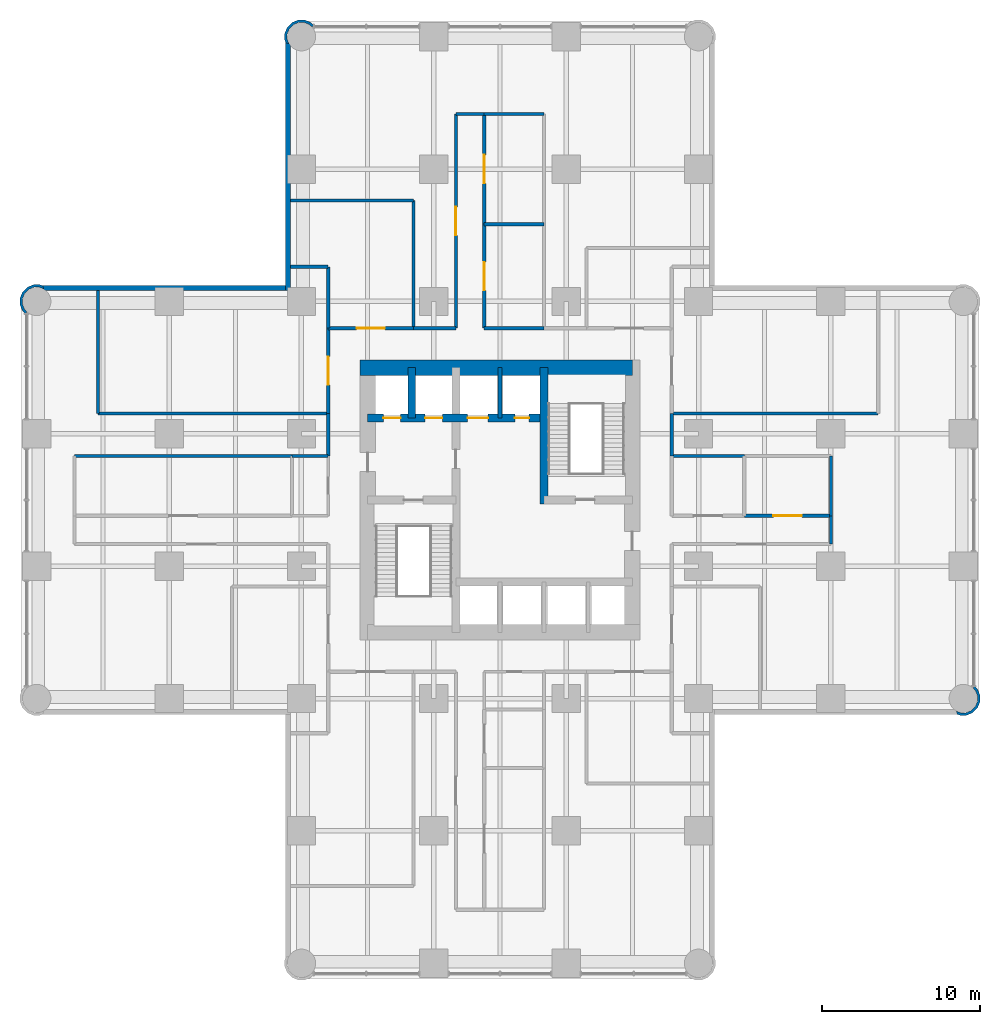
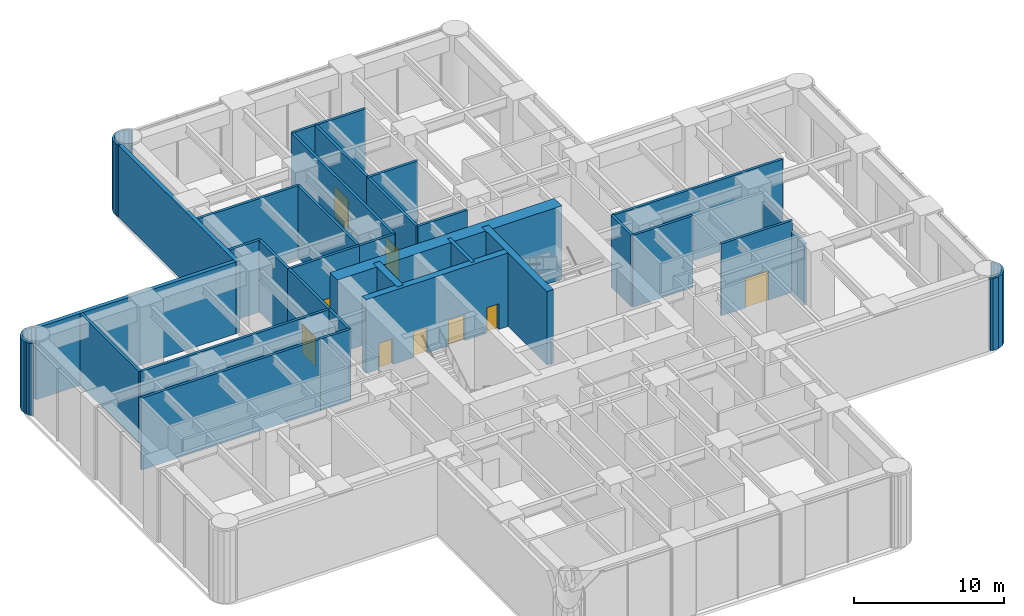
# One storey, part 8 of 11: 35 walls, 10 doors, 10 openings.
"""IFC4 building model written with IfcOpenShell, lengths in metres."""

from ifc_helpers import new_model, si_unit, direction, frame, frame_2d, origin, place, context, subcontext, project, spatial, polyline, rectangle, outline, extrude, material, layer, layer_set, type_object, element, fill, save


model = new_model("IFC4")

# Units and contexts
model_context = context("Model", 3, precision=1e-05, world=origin(), true_north=direction((0.0, 1.0)))
body_context = subcontext(model_context, "Body", "Model", "MODEL_VIEW")
ifc_project = project(units=[si_unit("LENGTHUNIT", "METRE"), si_unit("AREAUNIT", "SQUARE_METRE"), si_unit("VOLUMEUNIT", "CUBIC_METRE"), si_unit("PLANEANGLEUNIT", "RADIAN"), si_unit("MASSUNIT", "GRAM", prefix="KILO")], contexts=[model_context])

# Site, building, storey
site_placement = place(None, origin())
site = spatial("IfcSite", under=ifc_project, at=site_placement, CompositionType="ELEMENT")
building_placement = place(site_placement, origin())
building = spatial("IfcBuilding", under=site, at=building_placement, Name="Torre Alcanfor", CompositionType="ELEMENT")
storey_placement = place(building_placement, frame((0.0, 0.0, 28.5)))
storey = spatial("IfcBuildingStorey", under=building, at=storey_placement, Name="L06", CompositionType="ELEMENT", Elevation=28.5)

# Wall, openings, doors
ifc_material_1 = material(Name="Concrete f'c 70 MPa", Category="concrete")
ifc_layer_1 = layer(ifc_material_1, 0.5)
ifc_layer_set_1 = layer_set([ifc_layer_1], Name="Core inner wall 500 f'c70")
wall_type_1 = type_object("IfcWallType", Name="Core inner wall 500 f'c70", PredefinedType="SHEAR", material=ifc_layer_set_1)
wall_1_placement = place(storey_placement, frame((21.0, 34.60009765625, 0.0), z_axis=(0.0, 0.0, 1.0), x_axis=(1.0, 0.0, 0.0)))
wall_1 = element("IfcWall", 1, at=wall_1_placement, inside=storey, type_object=wall_type_1, Name="Core wall Y346 L06", PredefinedType="SHEAR", context=body_context, shape_type="SweptSolid", body=[
    extrude(rectangle(XDim=11.199951171875, YDim=0.5, at=frame_2d((5.60009765625, 0.0))), origin(), (0.0, 0.0, 1.0), 6.0),
])
opening_1_placement = place(wall_1_placement, frame((9.35009765625, 0.0, 0.0)))
opening_1 = element("IfcOpeningElement", 2, at=opening_1_placement, cuts=wall_1, Name="Opening D-Q1", PredefinedType="OPENING", context=body_context, shape_type="SweptSolid", body=[
    extrude(rectangle(XDim=0.89990234375, YDim=2.10009765625, at=frame_2d((0.449951171875, 1.050048828125))), frame((0.0, 0.260009765625, 0.0), z_axis=(0.0, -1.0, 0.0), x_axis=(1.0, 0.0, 0.0)), (0.0, 0.0, 1.0), 0.52001953125),
])
opening_2_placement = place(wall_1_placement, frame((1.0, 0.0, 0.0)))
opening_2 = element("IfcOpeningElement", 3, at=opening_2_placement, cuts=wall_1, Name="Opening LD2", PredefinedType="OPENING", context=body_context, shape_type="SweptSolid", body=[
    extrude(rectangle(XDim=1.10009765625, YDim=2.10009765625, at=frame_2d((0.550048828125, 1.050048828125))), frame((0.0, 0.260009765625, 0.0), z_axis=(0.0, -1.0, 0.0), x_axis=(1.0, 0.0, 0.0)), (0.0, 0.0, 1.0), 0.52001953125),
])
opening_3_placement = place(wall_1_placement, frame((3.64990234375, 0.0, 0.0)))
opening_3 = element("IfcOpeningElement", 4, at=opening_3_placement, cuts=wall_1, Name="Opening LD2", PredefinedType="OPENING", context=body_context, shape_type="SweptSolid", body=[
    extrude(rectangle(XDim=1.10009765625, YDim=2.10009765625, at=frame_2d((0.550048828125, 1.050048828125))), frame((0.0, 0.260009765625, 0.0), z_axis=(0.0, -1.0, 0.0), x_axis=(1.0, 0.0, 0.0)), (0.0, 0.0, 1.0), 0.52001953125),
])
opening_4_placement = place(wall_1_placement, frame((6.35009765625, 0.0, 0.0)))
opening_4 = element("IfcOpeningElement", 5, at=opening_4_placement, cuts=wall_1, Name="Opening LD3", PredefinedType="OPENING", context=body_context, shape_type="SweptSolid", body=[
    extrude(rectangle(XDim=1.300048828125, YDim=2.10009765625, at=frame_2d((0.64990234375, 1.050048828125))), frame((0.0, 0.260009765625, 0.0), z_axis=(0.0, -1.0, 0.0), x_axis=(1.0, 0.0, 0.0)), (0.0, 0.0, 1.0), 0.52001953125),
])
ifc_material_2 = material(Name="Galvanised steel sheet ASTM A653", Category="steel")
door_type_1 = type_object("IfcDoorType", Name="Firefighting lift landing door 1100x2100", OperationType="DOUBLE_DOOR_SLIDING", PredefinedType="DOOR", material=ifc_material_2)
door_1_placement = place(opening_2_placement, origin())
door_1 = element("IfcDoor", 6, at=door_1_placement, inside=storey, type_object=door_type_1, Name="Lift landing door FL1 L06", OperationType="DOUBLE_DOOR_SLIDING", OverallHeight=2.10009765625, OverallWidth=1.10009765625, PredefinedType="DOOR", context=body_context, shape_type="SweptSolid", body=[
    extrude(rectangle(XDim=1.10009765625, YDim=2.10009765625, at=frame_2d((0.550048828125, 1.050048828125))), frame((0.0, 0.02490234375, 0.0), z_axis=(0.0, -1.0, 0.0), x_axis=(1.0, 0.0, 0.0)), (0.0, 0.0, 1.0), 0.050048828125),
])
fill(opening_2, door_1)
door_2_placement = place(opening_3_placement, origin())
door_2 = element("IfcDoor", 7, at=door_2_placement, inside=storey, type_object=door_type_1, Name="Lift landing door FL2 L06", OperationType="DOUBLE_DOOR_SLIDING", OverallHeight=2.10009765625, OverallWidth=1.10009765625, PredefinedType="DOOR", context=body_context, shape_type="SweptSolid", body=[
    extrude(rectangle(XDim=1.10009765625, YDim=2.10009765625, at=frame_2d((0.550048828125, 1.050048828125))), frame((0.0, 0.02490234375, 0.0), z_axis=(0.0, -1.0, 0.0), x_axis=(1.0, 0.0, 0.0)), (0.0, 0.0, 1.0), 0.050048828125),
])
fill(opening_3, door_2)
ifc_material_3 = material(Name="Galvanised steel sheet ASTM A653", Category="steel")
door_type_2 = type_object("IfcDoorType", Name="Riser access door FD120 900x2100", OperationType="SINGLE_SWING_LEFT", PredefinedType="DOOR", material=ifc_material_3)
door_3_placement = place(opening_1_placement, origin())
door_3 = element("IfcDoor", 8, at=door_3_placement, inside=storey, type_object=door_type_2, Name="Riser door L06", OperationType="SINGLE_SWING_LEFT", OverallHeight=2.10009765625, OverallWidth=0.89990234375, PredefinedType="DOOR", context=body_context, shape_type="SweptSolid", body=[
    extrude(rectangle(XDim=0.89990234375, YDim=2.10009765625, at=frame_2d((0.449951171875, 1.050048828125))), frame((0.0, 0.02490234375, 0.0), z_axis=(0.0, -1.0, 0.0), x_axis=(1.0, 0.0, 0.0)), (0.0, 0.0, 1.0), 0.050048828125),
])
fill(opening_1, door_3)
ifc_material_4 = material(Name="Galvanised steel sheet ASTM A653", Category="steel")
door_type_3 = type_object("IfcDoorType", Name="Service lift landing door 1300x2100", OperationType="DOUBLE_DOOR_SLIDING", PredefinedType="DOOR", material=ifc_material_4)
door_4_placement = place(opening_4_placement, origin())
door_4 = element("IfcDoor", 9, at=door_4_placement, inside=storey, type_object=door_type_3, Name="Lift landing door SL1 L06", OperationType="DOUBLE_DOOR_SLIDING", OverallHeight=2.10009765625, OverallWidth=1.300048828125, PredefinedType="DOOR", context=body_context, shape_type="SweptSolid", body=[
    extrude(rectangle(XDim=1.300048828125, YDim=2.10009765625, at=frame_2d((0.64990234375, 1.050048828125))), frame((0.0, 0.02490234375, 0.0), z_axis=(0.0, -1.0, 0.0), x_axis=(1.0, 0.0, 0.0)), (0.0, 0.0, 1.0), 0.050048828125),
])
fill(opening_4, door_4)

# Walls
wall_2_placement = place(storey_placement, frame((23.800048828125, 34.60009765625, 0.0), z_axis=(0.0, 0.0, 1.0), x_axis=(0.0, 1.0, 0.0)))
element("IfcWall", 10, at=wall_2_placement, inside=storey, type_object=wall_type_1, Name="Core wall X238 L06", PredefinedType="SHEAR", context=body_context, shape_type="SweptSolid", body=[
    extrude(rectangle(XDim=3.199951171875, YDim=0.5, at=frame_2d((1.60009765625, 0.0))), origin(), (0.0, 0.0, 1.0), 6.0),
])
wall_3_placement = place(storey_placement, frame((32.199951171875, 29.14990234375, 0.0), z_axis=(0.0, 0.0, 1.0), x_axis=(0.0, 1.0, 0.0)))
element("IfcWall", 11, at=wall_3_placement, inside=storey, type_object=wall_type_1, Name="Core wall X322N L06", PredefinedType="SHEAR", context=body_context, shape_type="SweptSolid", body=[
    extrude(rectangle(XDim=8.650146484375, YDim=0.5, at=frame_2d((4.3251953125, 0.0))), origin(), (0.0, 0.0, 1.0), 6.0),
])
ifc_material_5 = material(Name="Concrete f'c 70 MPa", Category="concrete")
ifc_layer_2 = layer(ifc_material_5, 0.25)
ifc_layer_set_2 = layer_set([ifc_layer_2], Name="Core shaft wall 250 f'c70")
wall_type_2 = type_object("IfcWallType", Name="Core shaft wall 250 f'c70", PredefinedType="SHEAR", material=ifc_layer_set_2)
wall_4_placement = place(storey_placement, frame((29.39990234375, 34.60009765625, 0.0), z_axis=(0.0, 0.0, 1.0), x_axis=(0.0, 1.0, 0.0)))
element("IfcWall", 12, at=wall_4_placement, inside=storey, type_object=wall_type_2, Name="Core wall X294N L06", PredefinedType="SHEAR", context=body_context, shape_type="SweptSolid", body=[
    extrude(rectangle(XDim=3.199951171875, YDim=0.25, at=frame_2d((1.60009765625, 0.0))), origin(), (0.0, 0.0, 1.0), 6.0),
])
ifc_material_6 = material(Name="Concrete f'c 70 MPa", Category="concrete")
ifc_layer_3 = layer(ifc_material_6, 1.0)
ifc_layer_set_3 = layer_set([ifc_layer_3], Name="Core wall 1000 f'c70")
wall_type_3 = type_object("IfcWallType", Name="Core wall 1000 f'c70", PredefinedType="SHEAR", material=ifc_layer_set_3)
wall_5_placement = place(storey_placement, frame((37.800048828125, 37.800048828125, 0.0), z_axis=(0.0, 0.0, 1.0), x_axis=(-1.0, 0.0, 0.0)))
element("IfcWall", 13, at=wall_5_placement, inside=storey, type_object=wall_type_3, Name="Core wall OUT-N L06", PredefinedType="SHEAR", context=body_context, shape_type="SweptSolid", body=[
    extrude(rectangle(XDim=17.300048828125, YDim=1.0, at=frame_2d((8.64990234375, 0.0))), origin(), (0.0, 0.0, 1.0), 6.0),
])
ifc_material_7 = material(Name="Limestone cladding", Category="masonry")
ifc_layer_4 = layer(ifc_material_7, 0.0400390625, Name="Facing")
ifc_material_8 = material(Name="Ventilated air cavity")
ifc_layer_5 = layer(ifc_material_8, 0.02001953125, ventilated=True, Name="Ventilated joint")
ifc_material_9 = material(Name="Mineral wool insulation", Category="insulation")
ifc_layer_6 = layer(ifc_material_9, 0.10009765625, Name="Insulation")
ifc_material_10 = material(Name="Concrete f'c 35 MPa", Category="concrete")
ifc_layer_7 = layer(ifc_material_10, 0.139892578125, Name="Backing")
ifc_layer_set_4 = layer_set([ifc_layer_4, ifc_layer_5, ifc_layer_6, ifc_layer_7], Name="External wall stone-clad 300")
wall_type_4 = type_object("IfcWallType", Name="External wall stone-clad 300", PredefinedType="SOLIDWALL", material=ifc_layer_set_4)
wall_6_placement = place(storey_placement, frame((15.800048828125, 42.85009765625, 0.0), z_axis=(0.0, 0.0, 1.0), x_axis=(-1.0, 0.0, 0.0)))
element("IfcWall", 14, at=wall_6_placement, inside=storey, type_object=wall_type_4, Name="External wall L06 1", PredefinedType="SOLIDWALL", context=body_context, shape_type="SweptSolid", body=[
    extrude(rectangle(XDim=15.400146484375, YDim=0.300048828125, at=frame_2d((7.7001953125, 0.0))), origin(), (0.0, 0.0, 1.0), 5.85009765625),
])
wall_7_placement = place(storey_placement, frame((15.949951171875, 58.39990234375, 0.0), z_axis=(0.0, 0.0, 1.0), x_axis=(0.0, -1.0, 0.0)))
element("IfcWall", 15, at=wall_7_placement, inside=storey, type_object=wall_type_4, Name="External wall L06 12", PredefinedType="SOLIDWALL", context=body_context, shape_type="SweptSolid", body=[
    extrude(rectangle(XDim=15.699951171875, YDim=0.300048828125, at=frame_2d((7.85009765625, 0.0))), origin(), (0.0, 0.0, 1.0), 5.85009765625),
])

# Wall, opening, door
ifc_material_11 = material(Name="Concrete block masonry, hollow blocks NMX-C-404 9 MPa", Category="masonry")
ifc_layer_8 = layer(ifc_material_11, 0.199951171875)
ifc_layer_set_5 = layer_set([ifc_layer_8], Name="Plant room wall 200 EI 60")
wall_type_5 = type_object("IfcWallType", Name="Plant room wall 200 EI 60", PredefinedType="PARTITIONING", material=ifc_layer_set_5)
wall_8_placement = place(storey_placement, frame((18.5, 40.300048828125, 0.0), z_axis=(0.0, 0.0, 1.0), x_axis=(1.0, 0.0, 0.0)))
wall_8 = element("IfcWall", 16, at=wall_8_placement, inside=storey, type_object=wall_type_5, Name="Partition L06-CORR / L06-N1", PredefinedType="PARTITIONING", context=body_context, shape_type="SweptSolid", body=[
    extrude(rectangle(XDim=5.39990234375, YDim=0.199951171875, at=frame_2d((2.699951171875, 0.0))), origin(), (0.0, 0.0, 1.0), 5.85009765625),
])
opening_5_placement = place(wall_8_placement, frame((1.800048828125, 0.0, 0.0)))
opening_5 = element("IfcOpeningElement", 17, at=opening_5_placement, cuts=wall_8, Name="Opening D-P1", PredefinedType="OPENING", context=body_context, shape_type="SweptSolid", body=[
    extrude(rectangle(XDim=1.800048828125, YDim=2.39990234375, at=frame_2d((0.89990234375, 1.199951171875))), frame((0.0, 0.10986328125, 0.0), z_axis=(0.0, -1.0, 0.0), x_axis=(1.0, 0.0, 0.0)), (0.0, 0.0, 1.0), 0.219970703125),
])
ifc_material_12 = material(Name="Galvanised steel sheet ASTM A653", Category="steel")
door_type_4 = type_object("IfcDoorType", Name="Plant room door FD60 1800x2400", OperationType="DOUBLE_DOOR_SINGLE_SWING", PredefinedType="DOOR", material=ifc_material_12)
door_5_placement = place(opening_5_placement, origin())
door_5 = element("IfcDoor", 18, at=door_5_placement, inside=storey, type_object=door_type_4, Name="Door L06-N1 school chilled water plant room", OperationType="DOUBLE_DOOR_SINGLE_SWING", OverallHeight=2.39990234375, OverallWidth=1.800048828125, PredefinedType="DOOR", context=body_context, shape_type="SweptSolid", body=[
    extrude(rectangle(XDim=1.800048828125, YDim=2.39990234375, at=frame_2d((0.89990234375, 1.199951171875))), frame((0.0, 0.02490234375, 0.0), z_axis=(0.0, -1.0, 0.0), x_axis=(1.0, 0.0, 0.0)), (0.0, 0.0, 1.0), 0.050048828125),
])
fill(opening_5, door_5)

# Walls
wall_9_placement = place(storey_placement, frame((28.39990234375, 40.300048828125, 0.0), z_axis=(0.0, 0.0, 1.0), x_axis=(1.0, 0.0, 0.0)))
element("IfcWall", 19, at=wall_9_placement, inside=storey, type_object=wall_type_5, Name="Partition L06-CORR / L06-N3", PredefinedType="PARTITIONING", context=body_context, shape_type="SweptSolid", body=[
    extrude(rectangle(XDim=3.800048828125, YDim=0.199951171875, at=frame_2d((1.89990234375, 0.0))), origin(), (0.0, 0.0, 1.0), 5.85009765625),
])
wall_10_placement = place(storey_placement, frame((23.89990234375, 40.300048828125, 0.0), z_axis=(0.0, 0.0, 1.0), x_axis=(1.0, 0.0, 0.0)))
element("IfcWall", 20, at=wall_10_placement, inside=storey, type_object=wall_type_5, Name="Partition L06-CORR / L06-NH", PredefinedType="PARTITIONING", context=body_context, shape_type="SweptSolid", body=[
    extrude(rectangle(XDim=2.7001953125, YDim=0.199951171875, at=frame_2d((1.35009765625, 0.0))), origin(), (0.0, 0.0, 1.0), 5.85009765625),
])
wall_11_placement = place(storey_placement, frame((40.300048828125, 34.89990234375, 0.0), z_axis=(0.0, 0.0, 1.0), x_axis=(0.0, -1.0, 0.0)))
element("IfcWall", 21, at=wall_11_placement, inside=storey, type_object=wall_type_5, Name="Partition L06-CORR / L06-EH", PredefinedType="PARTITIONING", context=body_context, shape_type="SweptSolid", body=[
    extrude(rectangle(XDim=2.699951171875, YDim=0.199951171875, at=frame_2d((1.35009765625, 0.0))), origin(), (0.0, 0.0, 1.0), 5.85009765625),
])

# Wall, opening, door
wall_12_placement = place(storey_placement, frame((18.5, 34.89990234375, 0.0), z_axis=(0.0, 0.0, 1.0), x_axis=(0.0, 1.0, 0.0)))
wall_12 = element("IfcWall", 22, at=wall_12_placement, inside=storey, type_object=wall_type_5, Name="Partition L06-CORR / L06-W2", PredefinedType="PARTITIONING", context=body_context, shape_type="SweptSolid", body=[
    extrude(rectangle(XDim=5.400146484375, YDim=0.199951171875, at=frame_2d((2.7001953125, 0.0))), origin(), (0.0, 0.0, 1.0), 5.85009765625),
])
opening_6_placement = place(wall_12_placement, frame((1.800048828125, 0.0, 0.0)))
opening_6 = element("IfcOpeningElement", 23, at=opening_6_placement, cuts=wall_12, Name="Opening D-P1", PredefinedType="OPENING", context=body_context, shape_type="SweptSolid", body=[
    extrude(rectangle(XDim=1.800048828125, YDim=2.39990234375, at=frame_2d((0.89990234375, 1.199951171875))), frame((0.0, 0.10986328125, 0.0), z_axis=(0.0, -1.0, 0.0), x_axis=(1.0, 0.0, 0.0)), (0.0, 0.0, 1.0), 0.219970703125),
])
door_6_placement = place(opening_6_placement, origin())
door_6 = element("IfcDoor", 24, at=door_6_placement, inside=storey, type_object=door_type_4, Name="Door L06-W2 booster pump room", OperationType="DOUBLE_DOOR_SINGLE_SWING", OverallHeight=2.39990234375, OverallWidth=1.800048828125, PredefinedType="DOOR", context=body_context, shape_type="SweptSolid", body=[
    extrude(rectangle(XDim=1.800048828125, YDim=2.39990234375, at=frame_2d((0.89990234375, 1.199951171875))), frame((0.0, 0.02490234375, 0.0), z_axis=(0.0, -1.0, 0.0), x_axis=(1.0, 0.0, 0.0)), (0.0, 0.0, 1.0), 0.050048828125),
])
fill(opening_6, door_6)

# Walls
wall_13_placement = place(storey_placement, frame((18.5, 32.199951171875, 0.0), z_axis=(0.0, 0.0, 1.0), x_axis=(0.0, 1.0, 0.0)))
element("IfcWall", 25, at=wall_13_placement, inside=storey, type_object=wall_type_5, Name="Partition L06-CORR / L06-WH", PredefinedType="PARTITIONING", context=body_context, shape_type="SweptSolid", body=[
    extrude(rectangle(XDim=2.699951171875, YDim=0.199951171875, at=frame_2d((1.35009765625, 0.0))), origin(), (0.0, 0.0, 1.0), 5.85009765625),
])
wall_14_placement = place(storey_placement, frame((16.10009765625, 48.39990234375, 0.0), z_axis=(0.0, 0.0, 1.0), x_axis=(1.0, 0.0, 0.0)))
element("IfcWall", 26, at=wall_14_placement, inside=storey, type_object=wall_type_5, Name="Partition L06-N1 / L06-NH", PredefinedType="PARTITIONING", context=body_context, shape_type="SweptSolid", body=[
    extrude(rectangle(XDim=7.7998046875, YDim=0.199951171875, at=frame_2d((3.89990234375, 0.0))), origin(), (0.0, 0.0, 1.0), 5.85009765625),
])
wall_15_placement = place(storey_placement, frame((23.89990234375, 48.39990234375, 0.0), z_axis=(0.0, 0.0, 1.0), x_axis=(0.0, -1.0, 0.0)))
element("IfcWall", 27, at=wall_15_placement, inside=storey, type_object=wall_type_5, Name="Partition L06-N1 / L06-NH", PredefinedType="PARTITIONING", context=body_context, shape_type="SweptSolid", body=[
    extrude(rectangle(XDim=8.099853515625, YDim=0.199951171875, at=frame_2d((4.0498046875, 0.0))), origin(), (0.0, 0.0, 1.0), 5.85009765625),
])
wall_16_placement = place(storey_placement, frame((18.5, 40.300048828125, 0.0), z_axis=(0.0, 0.0, 1.0), x_axis=(0.0, 1.0, 0.0)))
element("IfcWall", 28, at=wall_16_placement, inside=storey, type_object=wall_type_5, Name="Partition L06-N1 / L06-W2", PredefinedType="PARTITIONING", context=body_context, shape_type="SweptSolid", body=[
    extrude(rectangle(XDim=3.89990234375, YDim=0.199951171875, at=frame_2d((1.949951171875, 0.0))), origin(), (0.0, 0.0, 1.0), 5.85009765625),
])
wall_17_placement = place(storey_placement, frame((18.5, 44.199951171875, 0.0), z_axis=(0.0, 0.0, 1.0), x_axis=(-1.0, 0.0, 0.0)))
element("IfcWall", 29, at=wall_17_placement, inside=storey, type_object=wall_type_5, Name="Partition L06-N1 / L06-W2", PredefinedType="PARTITIONING", context=body_context, shape_type="SweptSolid", body=[
    extrude(rectangle(XDim=2.39990234375, YDim=0.199951171875, at=frame_2d((1.199951171875, 0.0))), origin(), (0.0, 0.0, 1.0), 5.85009765625),
])

# Wall, opening, door
wall_18_placement = place(storey_placement, frame((28.39990234375, 46.89990234375, 0.0), z_axis=(0.0, 0.0, 1.0), x_axis=(0.0, -1.0, 0.0)))
wall_18 = element("IfcWall", 30, at=wall_18_placement, inside=storey, type_object=wall_type_5, Name="Partition L06-NC / L06-N3", PredefinedType="PARTITIONING", context=body_context, shape_type="SweptSolid", body=[
    extrude(rectangle(XDim=6.599853515625, YDim=0.199951171875, at=frame_2d((3.2998046875, 0.0))), origin(), (0.0, 0.0, 1.0), 5.85009765625),
])
opening_7_placement = place(wall_18_placement, frame((2.39990234375, 0.0, 0.0)))
opening_7 = element("IfcOpeningElement", 31, at=opening_7_placement, cuts=wall_18, Name="Opening D-P1", PredefinedType="OPENING", context=body_context, shape_type="SweptSolid", body=[
    extrude(rectangle(XDim=1.800048828125, YDim=2.39990234375, at=frame_2d((0.89990234375, 1.199951171875))), frame((0.0, 0.10986328125, 0.0), z_axis=(0.0, -1.0, 0.0), x_axis=(1.0, 0.0, 0.0)), (0.0, 0.0, 1.0), 0.219970703125),
])
door_7_placement = place(opening_7_placement, origin())
door_7 = element("IfcDoor", 32, at=door_7_placement, inside=storey, type_object=door_type_4, Name="Door L06-N3 lv sub-distribution room", OperationType="DOUBLE_DOOR_SINGLE_SWING", OverallHeight=2.39990234375, OverallWidth=1.800048828125, PredefinedType="DOOR", context=body_context, shape_type="SweptSolid", body=[
    extrude(rectangle(XDim=1.800048828125, YDim=2.39990234375, at=frame_2d((0.89990234375, 1.199951171875))), frame((0.0, 0.02490234375, 0.0), z_axis=(0.0, -1.0, 0.0), x_axis=(1.0, 0.0, 0.0)), (0.0, 0.0, 1.0), 0.050048828125),
])
fill(opening_7, door_7)

wall_19_placement = place(storey_placement, frame((28.39990234375, 53.89990234375, 0.0), z_axis=(0.0, 0.0, 1.0), x_axis=(0.0, -1.0, 0.0)))
wall_19 = element("IfcWall", 33, at=wall_19_placement, inside=storey, type_object=wall_type_5, Name="Partition L06-NC / L06-N4", PredefinedType="PARTITIONING", context=body_context, shape_type="SweptSolid", body=[
    extrude(rectangle(XDim=7.0, YDim=0.199951171875, at=frame_2d((3.5, 0.0))), origin(), (0.0, 0.0, 1.0), 5.85009765625),
])
opening_8_placement = place(wall_19_placement, frame((2.60009765625, 0.0, 0.0)))
opening_8 = element("IfcOpeningElement", 34, at=opening_8_placement, cuts=wall_19, Name="Opening D-P1", PredefinedType="OPENING", context=body_context, shape_type="SweptSolid", body=[
    extrude(rectangle(XDim=1.800048828125, YDim=2.39990234375, at=frame_2d((0.89990234375, 1.199951171875))), frame((0.0, 0.10986328125, 0.0), z_axis=(0.0, -1.0, 0.0), x_axis=(1.0, 0.0, 0.0)), (0.0, 0.0, 1.0), 0.219970703125),
])
door_8_placement = place(opening_8_placement, origin())
door_8 = element("IfcDoor", 35, at=door_8_placement, inside=storey, type_object=door_type_4, Name="Door L06-N4 bms and communications room", OperationType="DOUBLE_DOOR_SINGLE_SWING", OverallHeight=2.39990234375, OverallWidth=1.800048828125, PredefinedType="DOOR", context=body_context, shape_type="SweptSolid", body=[
    extrude(rectangle(XDim=1.800048828125, YDim=2.39990234375, at=frame_2d((0.89990234375, 1.199951171875))), frame((0.0, 0.02490234375, 0.0), z_axis=(0.0, -1.0, 0.0), x_axis=(1.0, 0.0, 0.0)), (0.0, 0.0, 1.0), 0.050048828125),
])
fill(opening_8, door_8)

wall_20_placement = place(storey_placement, frame((26.60009765625, 40.300048828125, 0.0), z_axis=(0.0, 0.0, 1.0), x_axis=(0.0, 1.0, 0.0)))
wall_20 = element("IfcWall", 36, at=wall_20_placement, inside=storey, type_object=wall_type_5, Name="Partition L06-NC / L06-NH", PredefinedType="PARTITIONING", context=body_context, shape_type="SweptSolid", body=[
    extrude(rectangle(XDim=13.599853515625, YDim=0.199951171875, at=frame_2d((6.7998046875, 0.0))), origin(), (0.0, 0.0, 1.0), 5.85009765625),
])
opening_9_placement = place(wall_20_placement, frame((5.89990234375, 0.0, 0.0)))
opening_9 = element("IfcOpeningElement", 37, at=opening_9_placement, cuts=wall_20, Name="Opening D-P1", PredefinedType="OPENING", context=body_context, shape_type="SweptSolid", body=[
    extrude(rectangle(XDim=1.800048828125, YDim=2.39990234375, at=frame_2d((0.89990234375, 1.199951171875))), frame((0.0, 0.10986328125, 0.0), z_axis=(0.0, -1.0, 0.0), x_axis=(1.0, 0.0, 0.0)), (0.0, 0.0, 1.0), 0.219970703125),
])
door_9_placement = place(opening_9_placement, origin())
door_9 = element("IfcDoor", 38, at=door_9_placement, inside=storey, type_object=door_type_4, Name="Door L06-NH air handling plant room", OperationType="DOUBLE_DOOR_SINGLE_SWING", OverallHeight=2.39990234375, OverallWidth=1.800048828125, PredefinedType="DOOR", context=body_context, shape_type="SweptSolid", body=[
    extrude(rectangle(XDim=1.800048828125, YDim=2.39990234375, at=frame_2d((0.89990234375, 1.199951171875))), frame((0.0, 0.02490234375, 0.0), z_axis=(0.0, -1.0, 0.0), x_axis=(1.0, 0.0, 0.0)), (0.0, 0.0, 1.0), 0.050048828125),
])
fill(opening_9, door_9)

# Walls
wall_21_placement = place(storey_placement, frame((26.60009765625, 53.89990234375, 0.0), z_axis=(0.0, 0.0, 1.0), x_axis=(1.0, 0.0, 0.0)))
element("IfcWall", 39, at=wall_21_placement, inside=storey, type_object=wall_type_5, Name="Partition L06-NC / L06-NH", PredefinedType="PARTITIONING", context=body_context, shape_type="SweptSolid", body=[
    extrude(rectangle(XDim=1.7998046875, YDim=0.199951171875, at=frame_2d((0.89990234375, 0.0))), origin(), (0.0, 0.0, 1.0), 5.85009765625),
])
for number, where, z_axis, x_axis, name in (
    (40, (28.39990234375, 46.89990234375, 0.0), (0.0, 0.0, 1.0), (1.0, 0.0, 0.0), "Partition L06-N3 / L06-N4"),
    (41, (28.39990234375, 53.89990234375, 0.0), (0.0, 0.0, 1.0), (1.0, 0.0, 0.0), "Partition L06-N4 / L06-NH"),
):
    element("IfcWall", number, at=place(storey_placement, frame(where, z_axis=z_axis, x_axis=x_axis)), inside=storey, type_object=wall_type_5, Name=name, PredefinedType="PARTITIONING", context=body_context, shape_type="SweptSolid", body=[
        extrude(rectangle(XDim=3.800048828125, YDim=0.199951171875, at=frame_2d((1.89990234375, 0.0))), origin(), (0.0, 0.0, 1.0), 5.85009765625),
    ])
wall_22_placement = place(storey_placement, frame((53.39990234375, 34.89990234375, 0.0), z_axis=(0.0, 0.0, 1.0), x_axis=(-1.0, 0.0, 0.0)))
element("IfcWall", 42, at=wall_22_placement, inside=storey, type_object=wall_type_5, Name="Partition L06-E2 / L06-EH", PredefinedType="PARTITIONING", context=body_context, shape_type="SweptSolid", body=[
    extrude(rectangle(XDim=13.099853515625, YDim=0.199951171875, at=frame_2d((6.5498046875, 0.0))), origin(), (0.0, 0.0, 1.0), 5.85009765625),
])

# Wall, opening, door
wall_23_placement = place(storey_placement, frame((44.89990234375, 28.39990234375, 0.0), z_axis=(0.0, 0.0, 1.0), x_axis=(1.0, 0.0, 0.0)))
wall_23 = element("IfcWall", 43, at=wall_23_placement, inside=storey, type_object=wall_type_5, Name="Partition L06-EC / L06-E4", PredefinedType="PARTITIONING", context=body_context, shape_type="SweptSolid", body=[
    extrude(rectangle(XDim=5.5, YDim=0.199951171875, at=frame_2d((2.75, 0.0))), origin(), (0.0, 0.0, 1.0), 5.85009765625),
])
opening_10_placement = place(wall_23_placement, frame((1.85009765625, 0.0, 0.0)))
opening_10 = element("IfcOpeningElement", 44, at=opening_10_placement, cuts=wall_23, Name="Opening D-P1", PredefinedType="OPENING", context=body_context, shape_type="SweptSolid", body=[
    extrude(rectangle(XDim=1.800048828125, YDim=2.39990234375, at=frame_2d((0.89990234375, 1.199951171875))), frame((0.0, 0.10986328125, 0.0), z_axis=(0.0, -1.0, 0.0), x_axis=(1.0, 0.0, 0.0)), (0.0, 0.0, 1.0), 0.219970703125),
])
door_10_placement = place(opening_10_placement, origin())
door_10 = element("IfcDoor", 45, at=door_10_placement, inside=storey, type_object=door_type_4, Name="Door L06-E4 plant store", OperationType="DOUBLE_DOOR_SINGLE_SWING", OverallHeight=2.39990234375, OverallWidth=1.800048828125, PredefinedType="DOOR", context=body_context, shape_type="SweptSolid", body=[
    extrude(rectangle(XDim=1.800048828125, YDim=2.39990234375, at=frame_2d((0.89990234375, 1.199951171875))), frame((0.0, 0.02490234375, 0.0), z_axis=(0.0, -1.0, 0.0), x_axis=(1.0, 0.0, 0.0)), (0.0, 0.0, 1.0), 0.050048828125),
])
fill(opening_10, door_10)

# Walls
wall_24_placement = place(storey_placement, frame((50.39990234375, 28.39990234375, 0.0), z_axis=(0.0, 0.0, 1.0), x_axis=(0.0, -1.0, 0.0)))
element("IfcWall", 46, at=wall_24_placement, inside=storey, type_object=wall_type_5, Name="Partition L06-EC / L06-EH", PredefinedType="PARTITIONING", context=body_context, shape_type="SweptSolid", body=[
    extrude(rectangle(XDim=1.7998046875, YDim=0.199951171875, at=frame_2d((0.89990234375, 0.0))), origin(), (0.0, 0.0, 1.0), 5.00927734375),
])
wall_25_placement = place(storey_placement, frame((40.300048828125, 32.199951171875, 0.0), z_axis=(0.0, 0.0, 1.0), x_axis=(1.0, 0.0, 0.0)))
element("IfcWall", 47, at=wall_25_placement, inside=storey, type_object=wall_type_5, Name="Partition L06-E3 / L06-EH", PredefinedType="PARTITIONING", context=body_context, shape_type="SweptSolid", body=[
    extrude(rectangle(XDim=4.599853515625, YDim=0.199951171875, at=frame_2d((2.2998046875, 0.0))), origin(), (0.0, 0.0, 1.0), 5.85009765625),
])
wall_26_placement = place(storey_placement, frame((50.39990234375, 32.199951171875, 0.0), z_axis=(0.0, 0.0, 1.0), x_axis=(0.0, -1.0, 0.0)))
element("IfcWall", 48, at=wall_26_placement, inside=storey, type_object=wall_type_5, Name="Partition L06-E4 / L06-EH", PredefinedType="PARTITIONING", context=body_context, shape_type="SweptSolid", body=[
    extrude(rectangle(XDim=3.800048828125, YDim=0.199951171875, at=frame_2d((1.89990234375, 0.0))), origin(), (0.0, 0.0, 1.0), 5.00927734375),
])
wall_27_placement = place(storey_placement, frame((18.5, 34.89990234375, 0.0), z_axis=(0.0, 0.0, 1.0), x_axis=(-1.0, 0.0, 0.0)))
element("IfcWall", 49, at=wall_27_placement, inside=storey, type_object=wall_type_5, Name="Partition L06-W2 / L06-WH", PredefinedType="PARTITIONING", context=body_context, shape_type="SweptSolid", body=[
    extrude(rectangle(XDim=14.60009765625, YDim=0.199951171875, at=frame_2d((7.300048828125, 0.0))), origin(), (0.0, 0.0, 1.0), 5.85009765625),
])
wall_28_placement = place(storey_placement, frame((3.89990234375, 34.89990234375, 0.0), z_axis=(0.0, 0.0, 1.0), x_axis=(0.0, 1.0, 0.0)))
element("IfcWall", 50, at=wall_28_placement, inside=storey, type_object=wall_type_5, Name="Partition L06-W2 / L06-WH", PredefinedType="PARTITIONING", context=body_context, shape_type="SweptSolid", body=[
    extrude(rectangle(XDim=7.800048828125, YDim=0.199951171875, at=frame_2d((3.89990234375, 0.0))), origin(), (0.0, 0.0, 1.0), 5.85009765625),
])
wall_29_placement = place(storey_placement, frame((16.199951171875, 32.199951171875, 0.0), z_axis=(0.0, 0.0, 1.0), x_axis=(1.0, 0.0, 0.0)))
element("IfcWall", 51, at=wall_29_placement, inside=storey, type_object=wall_type_5, Name="Partition L06-WW / L06-WH", PredefinedType="PARTITIONING", context=body_context, shape_type="SweptSolid", body=[
    extrude(rectangle(XDim=2.300048828125, YDim=0.199951171875, at=frame_2d((1.14990234375, 0.0))), origin(), (0.0, 0.0, 1.0), 5.85009765625),
])
wall_30_placement = place(storey_placement, frame((2.39990234375, 32.199951171875, 0.0), z_axis=(0.0, 0.0, 1.0), x_axis=(1.0, 0.0, 0.0)))
element("IfcWall", 52, at=wall_30_placement, inside=storey, type_object=wall_type_5, Name="Partition L06-REF / L06-WH", PredefinedType="PARTITIONING", context=body_context, shape_type="SweptSolid", body=[
    extrude(rectangle(XDim=13.800048828125, YDim=0.199951171875, at=frame_2d((6.89990234375, 0.0))), origin(), (0.0, 0.0, 1.0), 5.85009765625),
])
ifc_layer_9 = layer(ifc_material_7, 0.0400390625, Name="Facing")
ifc_layer_10 = layer(ifc_material_8, 0.02001953125, ventilated=True, Name="Ventilated joint")
ifc_layer_11 = layer(ifc_material_9, 0.10009765625, Name="Insulation")
ifc_layer_12 = layer(ifc_material_10, 0.139892578125, Name="Backing")
ifc_layer_set_6 = layer_set([ifc_layer_9, ifc_layer_10, ifc_layer_11, ifc_layer_12], Name="Rounded corner pier stone-clad 300")
wall_type_6 = type_object("IfcWallType", Name="Rounded corner pier stone-clad 300", PredefinedType="SOLIDWALL", material=ifc_layer_set_6)
wall_31_placement = place(storey_placement, frame((0.363962863, 42.909907157, 0.0), z_axis=(0.0, 0.0, 1.0), x_axis=(-0.924062475919, 0.382241468967, 0.0)))
element("IfcWall", 53, at=wall_31_placement, inside=storey, type_object=wall_type_6, Name="Corner pier L06 13", PredefinedType="SOLIDWALL", context=body_context, shape_type="SweptSolid", body=[
    extrude(outline(polyline([(0.35044958879220967, 1.805214630194829), (0.49929277746232636, 1.7436652288835497), (0.7524911960117645, 1.489877310003597), (0.8894859412371144, 1.1586947624817159), (0.8895598241465317, 0.8002010505889272), (0.7522526451384942, 0.4691601583058036), (0.49846472625854127, 0.2159617397563655), (0.16728217873666038, 0.07896699453101558), (-0.10035318835399831, 0.0789600534536236), (0.0012268950866002812, -0.09698897548097352), (0.030454486092350536, -0.08014322210817595), (0.19902470275342163, -0.08016334819264685), (0.5884123574010827, 0.08090813018538723), (0.8867868936755824, 0.3789703081769552), (1.048433688230324, 0.7686928229842549), (1.0486162839607769, 1.1904372864984771), (0.8875448055827428, 1.5798249411461383), (0.7684475031307332, 1.6991218434482278), (0.7597233926126957, 1.7317089786148179), (0.7408743711878268, 1.7268182586897074), (0.5894826275911748, 1.8781994774206376), (0.3884685341470461, 1.9617618057546544), (0.300709671077556, 1.9254600646833593), (0.35044958879220967, 1.805214630194829)])), origin(), (0.0, 0.0, 1.0), 5.85009765625),
])
wall_32_placement = place(storey_placement, frame((58.436037137, 15.890092843, 0.0), z_axis=(0.0, 0.0, 1.0), x_axis=(0.924062475919, -0.382241468967, 0.0)))
element("IfcWall", 54, at=wall_32_placement, inside=storey, type_object=wall_type_6, Name="Corner pier L06 17", PredefinedType="SOLIDWALL", context=body_context, shape_type="SweptSolid", body=[
    extrude(outline(polyline([(0.7597498487165509, 1.7317727629871276), (0.740675226101272, 1.7267887223908829), (0.5892834825046198, 1.8781699411218136), (0.3885883109220357, 1.9615999889365545), (0.3008294478525455, 1.9252982478652596), (0.35047604489606465, 1.8052784145671392), (0.49918695304690586, 1.7434100913943154), (0.7525176521156194, 1.4899410943759068), (0.8895123973409693, 1.158758546854026), (0.8893606790599768, 0.8001715142901029), (0.7520535000519394, 0.4691306220069792), (0.49858450303353075, 0.21579992293826555), (0.16740195551164988, 0.0788051777129156), (-0.10032673225014324, 0.07902383782593364), (0.0010277500000453535, -0.09701851177979792), (0.030480942196205615, -0.08007943773586594), (0.19882555766686671, -0.08019288449147127), (0.5884388135049378, 0.08097191455769723), (0.8868133497794374, 0.3790340925492652), (1.048234543143769, 0.7686632866854306), (1.0487360607357663, 1.1902754696803772), (0.8875712616865978, 1.5798887255184484), (0.7684739592345884, 1.6991856278205377), (0.7597498487165509, 1.7317727629871276)])), origin(), (0.0, 0.0, 1.0), 5.85009765625),
])
wall_33_placement = place(storey_placement, frame((17.497342054, 59.488559409, 0.0), z_axis=(0.0, 0.0, 1.0), x_axis=(-0.382241468967, 0.924062475919, 0.0)))
element("IfcWall", 55, at=wall_33_placement, inside=storey, type_object=wall_type_6, Name="Corner pier L06 20", PredefinedType="SOLIDWALL", context=body_context, shape_type="SweptSolid", body=[
    extrude(outline(polyline([(-0.3572112872164249, 1.9845348564852892), (-0.4585657694666134, 1.8084925068795576), (-0.19083708170482028, 1.8087111669925755), (0.14034546581706053, 1.6717164217672256), (0.39381446283546906, 1.4183857226985122), (0.5311216418435066, 1.0873448304153885), (0.5312733601244992, 0.7287577978514653), (0.3942786148991493, 0.3975752503295845), (0.14094791583043564, 0.14410625331117594), (-0.007762992320405577, 0.08223793013835216), (-0.05740958936392477, -0.03778190315976815), (0.030349273705565463, -0.0740836442310632), (0.2310444452881496, 0.009346403583677831), (0.38243618888480185, 0.16072762231460824), (0.40151081150008067, 0.15574358171836356), (0.4102349220181182, 0.1883307168849534), (0.5293322244701276, 0.30762761918704307), (0.6904970235192961, 0.6972408750251141), (0.6899955059272989, 1.1188530580200606), (0.5285743125629672, 1.508482252156226), (0.2301997762884675, 1.806544430147794), (-0.1594134795496035, 1.9677092291969625), (-0.32775809502026465, 1.9675957824413572), (-0.3572112872164249, 1.9845348564852892)])), origin(), (0.0, 0.0, 1.0), 5.85009765625),
])

save(model, "model.ifc")
